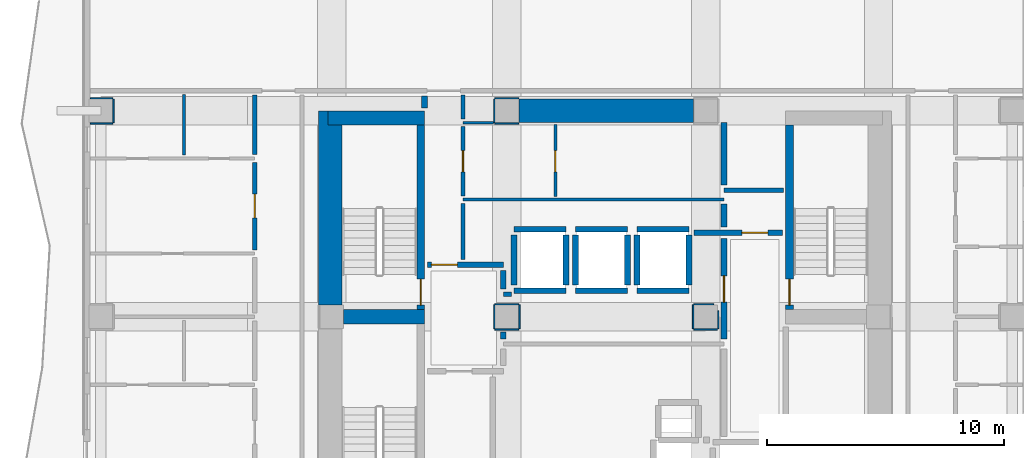
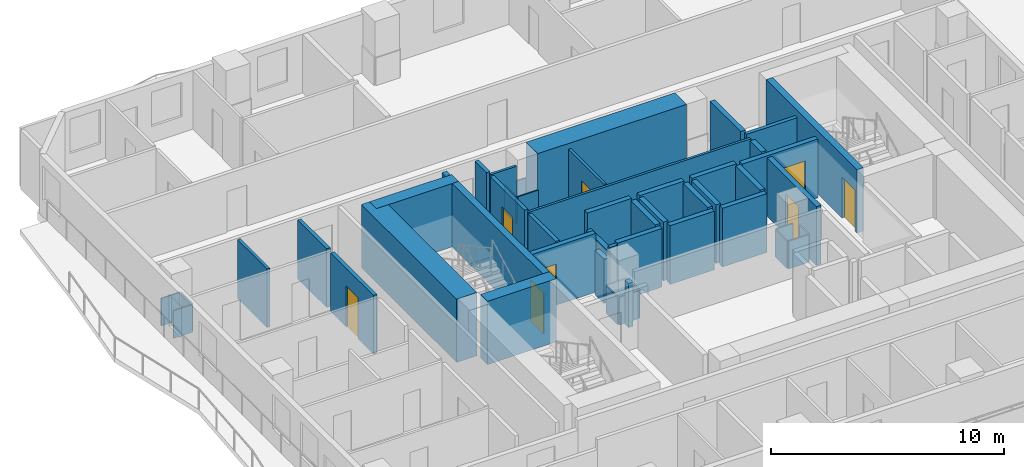
# One storey, part 4 of 11: 51 walls, 8 doors, 8 openings.
"""IFC4 building model written with IfcOpenShell, lengths in metres."""

from ifc_helpers import new_model, si_unit, direction, frame, frame_2d, origin, place, context, subcontext, project, spatial, rectangle, extrude, material, layer, layer_set, type_object, element, fill, save


model = new_model("IFC4")

# Units and contexts
model_context = context("Model", 3, precision=1e-05, world=origin(), true_north=direction((0.0, 1.0)))
body_context = subcontext(model_context, "Body", "Model", "MODEL_VIEW")
ifc_project = project(units=[si_unit("LENGTHUNIT", "METRE"), si_unit("AREAUNIT", "SQUARE_METRE"), si_unit("VOLUMEUNIT", "CUBIC_METRE"), si_unit("PLANEANGLEUNIT", "RADIAN"), si_unit("MASSUNIT", "GRAM", prefix="KILO")], contexts=[model_context])

# Site, building, storey
site_placement = place(None, origin())
site = spatial("IfcSite", under=ifc_project, at=site_placement, CompositionType="ELEMENT")
building_placement = place(site_placement, origin())
building = spatial("IfcBuilding", under=site, at=building_placement, Name="Solanera Arch Residences", CompositionType="ELEMENT")
storey_placement = place(building_placement, frame((0.0, 0.0, 165.840087890625)))
storey = spatial("IfcBuildingStorey", under=building, at=storey_placement, Name="L48", CompositionType="ELEMENT", Elevation=165.840087890625)

# Walls
ifc_material_1 = material(Name="Fire-Rated Gypsum Stud Partition", Category="gypsum")
ifc_layer_1 = layer(ifc_material_1, 0.06005859375)
ifc_layer_set_1 = layer_set([ifc_layer_1], Name="Fire-Rated Gypsum Stud Partition")
wall_type_1 = type_object("IfcWallType", Name="Column Acoustic Furring Wall 60", PredefinedType="PARTITIONING", material=ifc_layer_set_1)
for number, where, z_axis, x_axis, name in (
    (1, (20.300048828125, 38.867919921875, 0.0), (0.0, 0.0, 1.0), (1.0, 0.0, 0.0), "L48 Column Furring 3S"),
    (2, (20.300048828125, 39.931884765625, 0.0), (0.0, 0.0, 1.0), (1.0, 0.0, 0.0), "L48 Column Furring 3N"),
    (3, (20.26806640625, 38.89990234375, 0.0), (0.0, 0.0, 1.0), (0.0, 1.0, 0.0), "L48 Column Furring 3W"),
    (4, (20.300048828125, 30.16796875, 0.0), (0.0, 0.0, 1.0), (1.0, 0.0, 0.0), "L48 Column Furring 7S"),
    (5, (20.300048828125, 31.23193359375, 0.0), (0.0, 0.0, 1.0), (1.0, 0.0, 0.0), "L48 Column Furring 7N"),
    (6, (20.26806640625, 30.199951171875, 0.0), (0.0, 0.0, 1.0), (0.0, 1.0, 0.0), "L48 Column Furring 7W"),
    (7, (21.33203125, 30.199951171875, 0.0), (0.0, 0.0, 1.0), (0.0, 1.0, 0.0), "L48 Column Furring 7E"),
    (8, (28.699951171875, 30.16796875, 0.0), (0.0, 0.0, 1.0), (1.0, 0.0, 0.0), "L48 Column Furring 8S"),
):
    element("IfcWall", number, at=place(storey_placement, frame(where, z_axis=z_axis, x_axis=x_axis)), inside=storey, type_object=wall_type_1, Name=name, PredefinedType="PARTITIONING", context=body_context, shape_type="SweptSolid", body=[
        extrude(rectangle(XDim=1.0, YDim=0.06005859375, at=frame_2d((0.5, 0.0))), origin(), (0.0, 0.0, 1.0), 1.449951171875),
    ])
wall_1_placement = place(storey_placement, frame((28.699951171875, 31.23193359375, 0.0), z_axis=(0.0, 0.0, 1.0), x_axis=(1.0, 0.0, 0.0)))
element("IfcWall", 9, at=wall_1_placement, inside=storey, type_object=wall_type_1, Name="L48 Column Furring 8N", PredefinedType="PARTITIONING", context=body_context, shape_type="SweptSolid", body=[
    extrude(rectangle(XDim=0.8349609375, YDim=0.06005859375, at=frame_2d((0.41748046875, 0.0))), origin(), (0.0, 0.0, 1.0), 1.449951171875),
])
wall_2_placement = place(storey_placement, frame((28.66796875, 30.199951171875, 0.0), z_axis=(0.0, 0.0, 1.0), x_axis=(0.0, 1.0, 0.0)))
element("IfcWall", 10, at=wall_2_placement, inside=storey, type_object=wall_type_1, Name="L48 Column Furring 8W", PredefinedType="PARTITIONING", context=body_context, shape_type="SweptSolid", body=[
    extrude(rectangle(XDim=1.0, YDim=0.06005859375, at=frame_2d((0.5, 0.0))), origin(), (0.0, 0.0, 1.0), 1.449951171875),
])
wall_3_placement = place(storey_placement, frame((29.73193359375, 30.199951171875, 0.0), z_axis=(0.0, 0.0, 1.0), x_axis=(0.0, 1.0, 0.0)))
element("IfcWall", 11, at=wall_3_placement, inside=storey, type_object=wall_type_1, Name="L48 Column Furring 8E", PredefinedType="PARTITIONING", context=body_context, shape_type="SweptSolid", body=[
    extrude(rectangle(XDim=0.7470703125, YDim=0.06005859375, at=frame_2d((0.37353515625, 0.0))), origin(), (0.0, 0.0, 1.0), 1.449951171875),
])
for number, where, z_axis, x_axis, name in (
    (12, (3.2099609375, 38.867919921875, 0.0), (0.0, 0.0, 1.0), (1.0, 0.0, 0.0), "L48 Column Furring 21S"),
    (13, (3.2099609375, 39.931884765625, 0.0), (0.0, 0.0, 1.0), (1.0, 0.0, 0.0), "L48 Column Furring 21N"),
):
    element("IfcWall", number, at=place(storey_placement, frame(where, z_axis=z_axis, x_axis=x_axis)), inside=storey, type_object=wall_type_1, Name=name, PredefinedType="PARTITIONING", context=body_context, shape_type="SweptSolid", body=[
        extrude(rectangle(XDim=0.93994140625, YDim=0.06005859375, at=frame_2d((0.469970703125, 0.0))), origin(), (0.0, 0.0, 1.0), 1.449951171875),
    ])
wall_4_placement = place(storey_placement, frame((4.181884765625, 38.89990234375, 0.0), z_axis=(0.0, 0.0, 1.0), x_axis=(0.0, 1.0, 0.0)))
element("IfcWall", 14, at=wall_4_placement, inside=storey, type_object=wall_type_1, Name="L48 Column Furring 21E", PredefinedType="PARTITIONING", context=body_context, shape_type="SweptSolid", body=[
    extrude(rectangle(XDim=1.0, YDim=0.06005859375, at=frame_2d((0.5, 0.0))), origin(), (0.0, 0.0, 1.0), 1.449951171875),
])
ifc_material_2 = material(Name="Concrete C55/67 (f'c = 60 MPa)", Category="concrete")
ifc_layer_2 = layer(ifc_material_2, 1.0)
ifc_layer_set_2 = layer_set([ifc_layer_2], Name="Concrete C55/67 (f'c = 60 MPa)")
wall_type_2 = type_object("IfcWallType", Name="Core Shear Wall CW-1000", PredefinedType="SHEAR", material=ifc_layer_set_2)
wall_5_placement = place(storey_placement, frame((13.340087890625, 31.205078125, 0.0), z_axis=(0.0, 0.0, 1.0), x_axis=(0.0, 1.0, 0.0)))
element("IfcWall", 15, at=wall_5_placement, inside=storey, type_object=wall_type_2, Name="L48 West Core North Shear Wall", PredefinedType="SHEAR", context=body_context, shape_type="SweptSolid", body=[
    extrude(rectangle(XDim=8.19482421875, YDim=1.0, at=frame_2d((4.097412109375, 0.0))), origin(), (0.0, 0.0, 1.0), 3.31982421875),
])
wall_6_placement = place(storey_placement, frame((21.304931640625, 39.39990234375, 0.0), z_axis=(0.0, 0.0, 1.0), x_axis=(1.0, 0.0, 0.0)))
element("IfcWall", 16, at=wall_6_placement, inside=storey, type_object=wall_type_2, Name="L48 Central North Core Shear Wall", PredefinedType="SHEAR", context=body_context, shape_type="SweptSolid", body=[
    extrude(rectangle(XDim=7.39013671875, YDim=1.0, at=frame_2d((3.695068359375, 0.0))), origin(), (0.0, 0.0, 1.0), 3.31982421875),
])

# Wall, opening, door
ifc_material_3 = material(Name="Concrete C40/50 (f'c = 45 MPa)", Category="concrete")
ifc_layer_3 = layer(ifc_material_3, 0.320068359375)
ifc_layer_set_3 = layer_set([ifc_layer_3], Name="Concrete C40/50 (f'c = 45 MPa)")
wall_type_3 = type_object("IfcWallType", Name="Core Shear Wall CW-320", PredefinedType="SHEAR", material=ifc_layer_set_3)
wall_7_placement = place(storey_placement, frame((17.159912109375, 31.0, 0.0), z_axis=(0.0, 0.0, 1.0), x_axis=(0.0, 1.0, 0.0)))
wall_7 = element("IfcWall", 17, at=wall_7_placement, inside=storey, type_object=wall_type_3, Name="L48 Stair ST-T1 East Shear Wall", PredefinedType="SHEAR", context=body_context, shape_type="SweptSolid", body=[
    extrude(rectangle(XDim=7.800048828125, YDim=0.320068359375, at=frame_2d((3.89990234375, 0.0))), origin(), (0.0, 0.0, 1.0), 3.31982421875),
])
opening_1_placement = place(wall_7_placement, frame((0.18994140625, 0.0, 0.0)))
opening_1 = element("IfcOpeningElement", 18, at=opening_1_placement, cuts=wall_7, Name="Opening DF-01", PredefinedType="OPENING", context=body_context, shape_type="SweptSolid", body=[
    extrude(rectangle(XDim=1.10009765625, YDim=2.14990234375, at=frame_2d((0.550048828125, 1.074951171875))), frame((0.0, 0.169921875, 0.0), z_axis=(0.0, -1.0, 0.0), x_axis=(1.0, 0.0, 0.0)), (0.0, 0.0, 1.0), 0.3401),
])
ifc_material_4 = material(Name="Fire-Rated Architectural Hardwood", Category="wood")
door_type_1 = type_object("IfcDoorType", Name="Stair Exit Fire Door DF-01", OperationType="NOTDEFINED", PredefinedType="DOOR", material=ifc_material_4)
door_1_placement = place(opening_1_placement, origin())
door_1 = element("IfcDoor", 19, at=door_1_placement, inside=storey, type_object=door_type_1, Name="DR-L48-STAIR-ST-T1", OperationType="SINGLE_SWING_RIGHT", OverallHeight=2.14990234375, OverallWidth=1.10009765625, PredefinedType="DOOR", context=body_context, shape_type="SweptSolid", body=[
    extrude(rectangle(XDim=1.10009765625, YDim=2.14990234375, at=frame_2d((0.550048828125, 1.074951171875))), frame((0.0, 0.02490234375, 0.0), z_axis=(0.0, -1.0, 0.0), x_axis=(1.0, 0.0, 0.0)), (0.0, 0.0, 1.0), 0.050048828125),
])
fill(opening_1, door_1)

wall_8_placement = place(storey_placement, frame((32.739990234375, 31.0, 0.0), z_axis=(0.0, 0.0, 1.0), x_axis=(0.0, 1.0, 0.0)))
wall_8 = element("IfcWall", 20, at=wall_8_placement, inside=storey, type_object=wall_type_3, Name="L48 Stair ST-T2 West Shear Wall", PredefinedType="SHEAR", context=body_context, shape_type="SweptSolid", body=[
    extrude(rectangle(XDim=7.800048828125, YDim=0.320068359375, at=frame_2d((3.89990234375, 0.0))), origin(), (0.0, 0.0, 1.0), 3.31982421875),
])
opening_2_placement = place(wall_8_placement, frame((0.18994140625, 0.0, 0.0)))
opening_2 = element("IfcOpeningElement", 21, at=opening_2_placement, cuts=wall_8, Name="Opening DF-01", PredefinedType="OPENING", context=body_context, shape_type="SweptSolid", body=[
    extrude(rectangle(XDim=1.10009765625, YDim=2.14990234375, at=frame_2d((0.550048828125, 1.074951171875))), frame((0.0, 0.169921875, 0.0), z_axis=(0.0, -1.0, 0.0), x_axis=(1.0, 0.0, 0.0)), (0.0, 0.0, 1.0), 0.3401),
])
door_2_placement = place(opening_2_placement, origin())
door_2 = element("IfcDoor", 22, at=door_2_placement, inside=storey, type_object=door_type_1, Name="DR-L48-STAIR-ST-T2", OperationType="SINGLE_SWING_LEFT", OverallHeight=2.14990234375, OverallWidth=1.10009765625, PredefinedType="DOOR", context=body_context, shape_type="SweptSolid", body=[
    extrude(rectangle(XDim=1.10009765625, YDim=2.14990234375, at=frame_2d((0.550048828125, 1.074951171875))), frame((0.0, 0.02490234375, 0.0), z_axis=(0.0, -1.0, 0.0), x_axis=(1.0, 0.0, 0.0)), (0.0, 0.0, 1.0), 0.050048828125),
])
fill(opening_2, door_2)

# Walls
ifc_material_5 = material(Name="Concrete C40/50 (f'c = 45 MPa)", Category="concrete")
ifc_layer_4 = layer(ifc_material_5, 0.60009765625)
ifc_layer_set_4 = layer_set([ifc_layer_4], Name="Concrete C40/50 (f'c = 45 MPa)")
wall_type_4 = type_object("IfcWallType", Name="Core Shear Wall CW-600", PredefinedType="SHEAR", material=ifc_layer_set_4)
wall_9_placement = place(storey_placement, frame((13.239990234375, 39.10009765625, 0.0), z_axis=(0.0, 0.0, 1.0), x_axis=(1.0, 0.0, 0.0)))
element("IfcWall", 23, at=wall_9_placement, inside=storey, type_object=wall_type_4, Name="L48 North-West Core Shear Wall", PredefinedType="SHEAR", context=body_context, shape_type="SweptSolid", body=[
    extrude(rectangle(XDim=4.080078125, YDim=0.60009765625, at=frame_2d((2.0400390625, 0.0))), origin(), (0.0, 0.0, 1.0), 3.31982421875),
])
wall_10_placement = place(storey_placement, frame((13.905029296875, 30.699951171875, 0.0), z_axis=(0.0, 0.0, 1.0), x_axis=(1.0, 0.0, 0.0)))
element("IfcWall", 24, at=wall_10_placement, inside=storey, type_object=wall_type_4, Name="L48 West Stair Divider Shear Wall", PredefinedType="SHEAR", context=body_context, shape_type="SweptSolid", body=[
    extrude(rectangle(XDim=3.4150390625, YDim=0.60009765625, at=frame_2d((1.70751953125, 0.0))), origin(), (0.0, 0.0, 1.0), 3.31982421875),
])
ifc_material_6 = material(Name="Autoclaved Aerated Concrete Blockwork", Category="masonry")
ifc_layer_5 = layer(ifc_material_6, 0.179931640625)
ifc_layer_set_5 = layer_set([ifc_layer_5], Name="Autoclaved Aerated Concrete Blockwork")
wall_type_5 = type_object("IfcWallType", Name="Corridor Fire Partition 180", PredefinedType="PARTITIONING", material=ifc_layer_set_5)
wall_11_placement = place(storey_placement, frame((20.64990234375, 31.64990234375, 0.0), z_axis=(0.0, 0.0, 1.0), x_axis=(1.0, 0.0, 0.0)))
element("IfcWall", 25, at=wall_11_placement, inside=storey, type_object=wall_type_5, Name="L48 Interior Partition H8", PredefinedType="PARTITIONING", context=body_context, shape_type="SweptSolid", body=[
    extrude(rectangle(XDim=0.357177734375, YDim=0.179931640625, at=frame_2d((0.1787109375, 0.0))), origin(), (0.0, 0.0, 1.0), 3.079833984375),
])
wall_12_placement = place(storey_placement, frame((29.97509765625, 36.050048828125, 0.0), z_axis=(0.0, 0.0, 1.0), x_axis=(1.0, 0.0, 0.0)))
element("IfcWall", 26, at=wall_12_placement, inside=storey, type_object=wall_type_5, Name="L48 Interior Partition H9", PredefinedType="PARTITIONING", context=body_context, shape_type="SweptSolid", body=[
    extrude(rectangle(XDim=2.5048828125, YDim=0.179931640625, at=frame_2d((1.25244140625, 0.0))), origin(), (0.0, 0.0, 1.0), 3.079833984375),
])

# Wall, opening, door
wall_13_placement = place(storey_placement, frame((10.14990234375, 33.531982421875, 0.0), z_axis=(0.0, 0.0, 1.0), x_axis=(0.0, 1.0, 0.0)))
wall_13 = element("IfcWall", 27, at=wall_13_placement, inside=storey, type_object=wall_type_5, Name="L48 Interior Partition V8 5", PredefinedType="PARTITIONING", context=body_context, shape_type="SweptSolid", body=[
    extrude(rectangle(XDim=3.68505859375, YDim=0.179931640625, at=frame_2d((1.842529296875, 0.0))), origin(), (0.0, 0.0, 1.0), 3.079833984375),
])
opening_3_placement = place(wall_13_placement, frame((1.347900390625, 0.0, 0.0)))
opening_3 = element("IfcOpeningElement", 28, at=opening_3_placement, cuts=wall_13, Name="Opening DI-01", PredefinedType="OPENING", context=body_context, shape_type="SweptSolid", body=[
    extrude(rectangle(XDim=1.0, YDim=2.14990234375, at=frame_2d((0.5, 1.074951171875))), frame((0.0, 0.10009765625, 0.0), z_axis=(0.0, -1.0, 0.0), x_axis=(1.0, 0.0, 0.0)), (0.0, 0.0, 1.0), 0.1999),
])
ifc_material_7 = material(Name="Fire-Rated Architectural Hardwood", Category="wood")
door_type_2 = type_object("IfcDoorType", Name="Unit Entrance Fire Door DI-01", OperationType="NOTDEFINED", PredefinedType="DOOR", material=ifc_material_7)
door_3_placement = place(opening_3_placement, origin())
door_3 = element("IfcDoor", 29, at=door_3_placement, inside=storey, type_object=door_type_2, Name="DR-L48-IN-038", OperationType="SINGLE_SWING_LEFT", OverallHeight=2.14990234375, OverallWidth=1.0, PredefinedType="DOOR", context=body_context, shape_type="SweptSolid", body=[
    extrude(rectangle(XDim=1.0, YDim=2.14990234375, at=frame_2d((0.5, 1.074951171875))), frame((0.0, 0.02490234375, 0.0), z_axis=(0.0, -1.0, 0.0), x_axis=(1.0, 0.0, 0.0)), (0.0, 0.0, 1.0), 0.050048828125),
])
fill(opening_3, door_3)

# Walls
wall_14_placement = place(storey_placement, frame((10.14990234375, 37.552978515625, 0.0), z_axis=(0.0, 0.0, 1.0), x_axis=(0.0, 1.0, 0.0)))
element("IfcWall", 30, at=wall_14_placement, inside=storey, type_object=wall_type_5, Name="L48 Interior Partition V8 6", PredefinedType="PARTITIONING", context=body_context, shape_type="SweptSolid", body=[
    extrude(rectangle(XDim=2.509033203125, YDim=0.179931640625, at=frame_2d((1.25439453125, 0.0))), origin(), (0.0, 0.0, 1.0), 3.079833984375),
])
wall_15_placement = place(storey_placement, frame((18.949951171875, 33.117919921875, 0.0), z_axis=(0.0, 0.0, 1.0), x_axis=(0.0, 1.0, 0.0)))
element("IfcWall", 31, at=wall_15_placement, inside=storey, type_object=wall_type_5, Name="L48 Interior Partition V11 1", PredefinedType="PARTITIONING", context=body_context, shape_type="SweptSolid", body=[
    extrude(rectangle(XDim=2.3740234375, YDim=0.179931640625, at=frame_2d((1.18701171875, 0.0))), origin(), (0.0, 0.0, 1.0), 3.079833984375),
])

# Wall, opening, door
wall_16_placement = place(storey_placement, frame((18.949951171875, 35.80810546875, 0.0), z_axis=(0.0, 0.0, 1.0), x_axis=(0.0, 1.0, 0.0)))
wall_16 = element("IfcWall", 32, at=wall_16_placement, inside=storey, type_object=wall_type_5, Name="L48 Interior Partition V11 2", PredefinedType="PARTITIONING", context=body_context, shape_type="SweptSolid", body=[
    extrude(rectangle(XDim=2.933837890625, YDim=0.179931640625, at=frame_2d((1.466796875, 0.0))), origin(), (0.0, 0.0, 1.0), 3.079833984375),
])
opening_4_placement = place(wall_16_placement, frame((1.01708984375, 0.0, 0.0)))
opening_4 = element("IfcOpeningElement", 33, at=opening_4_placement, cuts=wall_16, Name="Opening DI-02", PredefinedType="OPENING", context=body_context, shape_type="SweptSolid", body=[
    extrude(rectangle(XDim=0.89990234375, YDim=2.10009765625, at=frame_2d((0.449951171875, 1.050048828125))), frame((0.0, 0.10009765625, 0.0), z_axis=(0.0, -1.0, 0.0), x_axis=(1.0, 0.0, 0.0)), (0.0, 0.0, 1.0), 0.1999),
])
ifc_material_8 = material(Name="Fire-Rated Architectural Hardwood", Category="wood")
door_type_3 = type_object("IfcDoorType", Name="Suite Room Swing Door DI-02", OperationType="NOTDEFINED", PredefinedType="DOOR", material=ifc_material_8)
door_4_placement = place(opening_4_placement, origin())
door_4 = element("IfcDoor", 34, at=door_4_placement, inside=storey, type_object=door_type_3, Name="DR-L48-IN-014", OperationType="SINGLE_SWING_LEFT", OverallHeight=2.10009765625, OverallWidth=0.89990234375, PredefinedType="DOOR", context=body_context, shape_type="SweptSolid", body=[
    extrude(rectangle(XDim=0.89990234375, YDim=2.10009765625, at=frame_2d((0.449951171875, 1.050048828125))), frame((0.0, 0.02490234375, 0.0), z_axis=(0.0, -1.0, 0.0), x_axis=(1.0, 0.0, 0.0)), (0.0, 0.0, 1.0), 0.050048828125),
])
fill(opening_4, door_4)

# Walls
wall_17_placement = place(storey_placement, frame((18.949951171875, 39.05810546875, 0.0), z_axis=(0.0, 0.0, 1.0), x_axis=(0.0, 1.0, 0.0)))
element("IfcWall", 35, at=wall_17_placement, inside=storey, type_object=wall_type_5, Name="L48 Interior Partition V11 3", PredefinedType="PARTITIONING", context=body_context, shape_type="SweptSolid", body=[
    extrude(rectangle(XDim=1.00390625, YDim=0.179931640625, at=frame_2d((0.501953125, 0.0))), origin(), (0.0, 0.0, 1.0), 3.079833984375),
])
ifc_material_9 = material(Name="Autoclaved Aerated Concrete Blockwork", Category="masonry")
ifc_layer_6 = layer(ifc_material_9, 0.239990234375)
ifc_layer_set_6 = layer_set([ifc_layer_6], Name="Autoclaved Aerated Concrete Blockwork")
wall_type_6 = type_object("IfcWallType", Name="Shaft Wall Fire-Rated 240", PredefinedType="PARTITIONING", material=ifc_layer_set_6)
for number, where, z_axis, x_axis, name in (
    (36, (21.10009765625, 31.800048828125, 0.0), (0.0, 0.0, 1.0), (1.0, 0.0, 0.0), "L48 Lift PL-M1 Hoistway Wall S"),
    (37, (21.10009765625, 34.39990234375, 0.0), (0.0, 0.0, 1.0), (1.0, 0.0, 0.0), "L48 Lift PL-M1 Hoistway Wall N"),
):
    element("IfcWall", number, at=place(storey_placement, frame(where, z_axis=z_axis, x_axis=x_axis)), inside=storey, type_object=wall_type_6, Name=name, PredefinedType="PARTITIONING", context=body_context, shape_type="SweptSolid", body=[
        extrude(rectangle(XDim=2.199951171875, YDim=0.239990234375, at=frame_2d((1.10009765625, 0.0))), origin(), (0.0, 0.0, 1.0), 3.079833984375),
    ])
wall_18_placement = place(storey_placement, frame((21.10009765625, 32.048095703125, 0.0), z_axis=(0.0, 0.0, 1.0), x_axis=(0.0, 1.0, 0.0)))
element("IfcWall", 38, at=wall_18_placement, inside=storey, type_object=wall_type_6, Name="L48 Lift PL-M1 Hoistway Wall W", PredefinedType="PARTITIONING", context=body_context, shape_type="SweptSolid", body=[
    extrude(rectangle(XDim=2.10400390625, YDim=0.239990234375, at=frame_2d((1.052001953125, 0.0))), origin(), (0.0, 0.0, 1.0), 2.31494140625),
])
wall_19_placement = place(storey_placement, frame((23.300048828125, 32.048095703125, 0.0), z_axis=(0.0, 0.0, 1.0), x_axis=(0.0, 1.0, 0.0)))
element("IfcWall", 39, at=wall_19_placement, inside=storey, type_object=wall_type_6, Name="L48 Lift PL-M1 Hoistway Wall E", PredefinedType="PARTITIONING", context=body_context, shape_type="SweptSolid", body=[
    extrude(rectangle(XDim=2.10400390625, YDim=0.239990234375, at=frame_2d((1.052001953125, 0.0))), origin(), (0.0, 0.0, 1.0), 3.079833984375),
])
for number, where, z_axis, x_axis, name in (
    (40, (23.699951171875, 31.800048828125, 0.0), (0.0, 0.0, 1.0), (1.0, 0.0, 0.0), "L48 Lift PL-M2 Hoistway Wall S"),
    (41, (23.699951171875, 34.39990234375, 0.0), (0.0, 0.0, 1.0), (1.0, 0.0, 0.0), "L48 Lift PL-M2 Hoistway Wall N"),
):
    element("IfcWall", number, at=place(storey_placement, frame(where, z_axis=z_axis, x_axis=x_axis)), inside=storey, type_object=wall_type_6, Name=name, PredefinedType="PARTITIONING", context=body_context, shape_type="SweptSolid", body=[
        extrude(rectangle(XDim=2.199951171875, YDim=0.239990234375, at=frame_2d((1.10009765625, 0.0))), origin(), (0.0, 0.0, 1.0), 3.079833984375),
    ])
for number, where, z_axis, x_axis, name in (
    (42, (23.699951171875, 32.048095703125, 0.0), (0.0, 0.0, 1.0), (0.0, 1.0, 0.0), "L48 Lift PL-M2 Hoistway Wall W"),
    (43, (25.89990234375, 32.048095703125, 0.0), (0.0, 0.0, 1.0), (0.0, 1.0, 0.0), "L48 Lift PL-M2 Hoistway Wall E"),
):
    element("IfcWall", number, at=place(storey_placement, frame(where, z_axis=z_axis, x_axis=x_axis)), inside=storey, type_object=wall_type_6, Name=name, PredefinedType="PARTITIONING", context=body_context, shape_type="SweptSolid", body=[
        extrude(rectangle(XDim=2.10400390625, YDim=0.239990234375, at=frame_2d((1.052001953125, 0.0))), origin(), (0.0, 0.0, 1.0), 3.079833984375),
    ])
for number, where, z_axis, x_axis, name in (
    (44, (26.300048828125, 31.800048828125, 0.0), (0.0, 0.0, 1.0), (1.0, 0.0, 0.0), "L48 Lift PL-M3 Hoistway Wall S"),
    (45, (26.300048828125, 34.39990234375, 0.0), (0.0, 0.0, 1.0), (1.0, 0.0, 0.0), "L48 Lift PL-M3 Hoistway Wall N"),
):
    element("IfcWall", number, at=place(storey_placement, frame(where, z_axis=z_axis, x_axis=x_axis)), inside=storey, type_object=wall_type_6, Name=name, PredefinedType="PARTITIONING", context=body_context, shape_type="SweptSolid", body=[
        extrude(rectangle(XDim=2.199951171875, YDim=0.239990234375, at=frame_2d((1.10009765625, 0.0))), origin(), (0.0, 0.0, 1.0), 3.079833984375),
    ])
for number, where, z_axis, x_axis, name in (
    (46, (26.300048828125, 32.048095703125, 0.0), (0.0, 0.0, 1.0), (0.0, 1.0, 0.0), "L48 Lift PL-M3 Hoistway Wall W"),
    (47, (28.5, 32.048095703125, 0.0), (0.0, 0.0, 1.0), (0.0, 1.0, 0.0), "L48 Lift PL-M3 Hoistway Wall E"),
):
    element("IfcWall", number, at=place(storey_placement, frame(where, z_axis=z_axis, x_axis=x_axis)), inside=storey, type_object=wall_type_6, Name=name, PredefinedType="PARTITIONING", context=body_context, shape_type="SweptSolid", body=[
        extrude(rectangle(XDim=2.10400390625, YDim=0.239990234375, at=frame_2d((1.052001953125, 0.0))), origin(), (0.0, 0.0, 1.0), 3.079833984375),
    ])

# Wall, opening, door
wall_20_placement = place(storey_placement, frame((17.449951171875, 32.89990234375, 0.0), z_axis=(0.0, 0.0, 1.0), x_axis=(1.0, 0.0, 0.0)))
wall_20 = element("IfcWall", 48, at=wall_20_placement, inside=storey, type_object=wall_type_6, Name="L48 Interior Partition H4", PredefinedType="PARTITIONING", context=body_context, shape_type="SweptSolid", body=[
    extrude(rectangle(XDim=3.199951171875, YDim=0.239990234375, at=frame_2d((1.60009765625, 0.0))), origin(), (0.0, 0.0, 1.0), 3.079833984375),
])
opening_5_placement = place(wall_20_placement, frame((0.158935546875, 0.0, 0.0)))
opening_5 = element("IfcOpeningElement", 49, at=opening_5_placement, cuts=wall_20, Name="Opening DF-02", PredefinedType="OPENING", context=body_context, shape_type="SweptSolid", body=[
    extrude(rectangle(XDim=1.10009765625, YDim=2.14990234375, at=frame_2d((0.550048828125, 1.074951171875))), frame((0.0, 0.1298828125, 0.0), z_axis=(0.0, -1.0, 0.0), x_axis=(1.0, 0.0, 0.0)), (0.0, 0.0, 1.0), 0.26),
])
ifc_material_10 = material(Name="Fire-Rated Architectural Hardwood", Category="wood")
door_type_4 = type_object("IfcDoorType", Name="Firefighting Lobby Fire Door DF-02", OperationType="NOTDEFINED", PredefinedType="DOOR", material=ifc_material_10)
door_5_placement = place(opening_5_placement, origin())
door_5 = element("IfcDoor", 50, at=door_5_placement, inside=storey, type_object=door_type_4, Name="DR-L48-IN-005", OperationType="SINGLE_SWING_RIGHT", OverallHeight=2.14990234375, OverallWidth=1.10009765625, PredefinedType="DOOR", context=body_context, shape_type="SweptSolid", body=[
    extrude(rectangle(XDim=1.10009765625, YDim=2.14990234375, at=frame_2d((0.550048828125, 1.074951171875))), frame((0.0, 0.02490234375, 0.0), z_axis=(0.0, -1.0, 0.0), x_axis=(1.0, 0.0, 0.0)), (0.0, 0.0, 1.0), 0.050048828125),
])
fill(opening_5, door_5)

wall_21_placement = place(storey_placement, frame((28.701904296875, 34.25, 0.0), z_axis=(0.0, 0.0, 1.0), x_axis=(1.0, 0.0, 0.0)))
wall_21 = element("IfcWall", 51, at=wall_21_placement, inside=storey, type_object=wall_type_6, Name="L48 Interior Partition H5", PredefinedType="PARTITIONING", context=body_context, shape_type="SweptSolid", body=[
    extrude(rectangle(XDim=3.748046875, YDim=0.239990234375, at=frame_2d((1.8740234375, 0.0))), origin(), (0.0, 0.0, 1.0), 3.079833984375),
])
opening_6_placement = place(wall_21_placement, frame((2.02490234375, 0.0, 0.0)))
opening_6 = element("IfcOpeningElement", 52, at=opening_6_placement, cuts=wall_21, Name="Opening DF-02", PredefinedType="OPENING", context=body_context, shape_type="SweptSolid", body=[
    extrude(rectangle(XDim=1.10009765625, YDim=2.14990234375, at=frame_2d((0.550048828125, 1.074951171875))), frame((0.0, 0.1298828125, 0.0), z_axis=(0.0, -1.0, 0.0), x_axis=(1.0, 0.0, 0.0)), (0.0, 0.0, 1.0), 0.26),
])
door_6_placement = place(opening_6_placement, origin())
door_6 = element("IfcDoor", 53, at=door_6_placement, inside=storey, type_object=door_type_4, Name="DR-L48-IN-007", OperationType="SINGLE_SWING_RIGHT", OverallHeight=2.14990234375, OverallWidth=1.10009765625, PredefinedType="DOOR", context=body_context, shape_type="SweptSolid", body=[
    extrude(rectangle(XDim=1.10009765625, YDim=2.14990234375, at=frame_2d((0.550048828125, 1.074951171875))), frame((0.0, 0.02490234375, 0.0), z_axis=(0.0, -1.0, 0.0), x_axis=(1.0, 0.0, 0.0)), (0.0, 0.0, 1.0), 0.050048828125),
])
fill(opening_6, door_6)

# Walls
wall_22_placement = place(storey_placement, frame((17.320068359375, 39.530029296875, 0.0), z_axis=(0.0, 0.0, 1.0), x_axis=(0.0, 1.0, 0.0)))
element("IfcWall", 54, at=wall_22_placement, inside=storey, type_object=wall_type_6, Name="L48 Interior Partition V1", PredefinedType="PARTITIONING", context=body_context, shape_type="SweptSolid", body=[
    extrude(rectangle(XDim=0.501953125, YDim=0.239990234375, at=frame_2d((0.2509765625, 0.0))), origin(), (0.0, 0.0, 1.0), 3.079833984375),
])
wall_23_placement = place(storey_placement, frame((20.64990234375, 29.76806640625, 0.0), z_axis=(0.0, 0.0, 1.0), x_axis=(0.0, 1.0, 0.0)))
element("IfcWall", 55, at=wall_23_placement, inside=storey, type_object=wall_type_6, Name="L48 Interior Partition V4 2", PredefinedType="PARTITIONING", context=body_context, shape_type="SweptSolid", body=[
    extrude(rectangle(XDim=0.300048828125, YDim=0.239990234375, at=frame_2d((0.14990234375, 0.0))), origin(), (0.0, 0.0, 1.0), 2.31494140625),
])
wall_24_placement = place(storey_placement, frame((20.64990234375, 31.867919921875, 0.0), z_axis=(0.0, 0.0, 1.0), x_axis=(0.0, 1.0, 0.0)))
element("IfcWall", 56, at=wall_24_placement, inside=storey, type_object=wall_type_6, Name="L48 Interior Partition V4 3", PredefinedType="PARTITIONING", context=body_context, shape_type="SweptSolid", body=[
    extrude(rectangle(XDim=0.7841796875, YDim=0.239990234375, at=frame_2d((0.39208984375, 0.0))), origin(), (0.0, 0.0, 1.0), 2.31494140625),
])

# Wall, opening, door
wall_25_placement = place(storey_placement, frame((29.97509765625, 29.76806640625, 0.0), z_axis=(0.0, 0.0, 1.0), x_axis=(0.0, 1.0, 0.0)))
wall_25 = element("IfcWall", 57, at=wall_25_placement, inside=storey, type_object=wall_type_6, Name="L48 Interior Partition V5 2", PredefinedType="PARTITIONING", context=body_context, shape_type="SweptSolid", body=[
    extrude(rectangle(XDim=4.23388671875, YDim=0.239990234375, at=frame_2d((2.116943359375, 0.0))), origin(), (0.0, 0.0, 1.0), 3.079833984375),
])
opening_7_placement = place(wall_25_placement, frame((1.556884765625, 0.0, 0.0)))
opening_7 = element("IfcOpeningElement", 58, at=opening_7_placement, cuts=wall_25, Name="Opening DF-02", PredefinedType="OPENING", context=body_context, shape_type="SweptSolid", body=[
    extrude(rectangle(XDim=1.10009765625, YDim=2.14990234375, at=frame_2d((0.550048828125, 1.074951171875))), frame((0.0, 0.1298828125, 0.0), z_axis=(0.0, -1.0, 0.0), x_axis=(1.0, 0.0, 0.0)), (0.0, 0.0, 1.0), 0.26),
])
door_7_placement = place(opening_7_placement, origin())
door_7 = element("IfcDoor", 59, at=door_7_placement, inside=storey, type_object=door_type_4, Name="DR-L48-IN-006", OperationType="SINGLE_SWING_LEFT", OverallHeight=2.14990234375, OverallWidth=1.10009765625, PredefinedType="DOOR", context=body_context, shape_type="SweptSolid", body=[
    extrude(rectangle(XDim=1.10009765625, YDim=2.14990234375, at=frame_2d((0.550048828125, 1.074951171875))), frame((0.0, 0.02490234375, 0.0), z_axis=(0.0, -1.0, 0.0), x_axis=(1.0, 0.0, 0.0)), (0.0, 0.0, 1.0), 0.050048828125),
])
fill(opening_7, door_7)

# Walls
wall_26_placement = place(storey_placement, frame((29.97509765625, 34.498046875, 0.0), z_axis=(0.0, 0.0, 1.0), x_axis=(0.0, 1.0, 0.0)))
element("IfcWall", 60, at=wall_26_placement, inside=storey, type_object=wall_type_6, Name="L48 Interior Partition V5 3", PredefinedType="PARTITIONING", context=body_context, shape_type="SweptSolid", body=[
    extrude(rectangle(XDim=0.9638671875, YDim=0.239990234375, at=frame_2d((0.48193359375, 0.0))), origin(), (0.0, 0.0, 1.0), 3.079833984375),
])
wall_27_placement = place(storey_placement, frame((29.97509765625, 36.26806640625, 0.0), z_axis=(0.0, 0.0, 1.0), x_axis=(0.0, 1.0, 0.0)))
element("IfcWall", 61, at=wall_27_placement, inside=storey, type_object=wall_type_6, Name="L48 Interior Partition V5 4", PredefinedType="PARTITIONING", context=body_context, shape_type="SweptSolid", body=[
    extrude(rectangle(XDim=2.6318359375, YDim=0.239990234375, at=frame_2d((1.31591796875, 0.0))), origin(), (0.0, 0.0, 1.0), 3.079833984375),
])
ifc_material_11 = material(Name="Fire-Rated Gypsum Stud Partition", Category="gypsum")
ifc_layer_7 = layer(ifc_material_11, 0.1201171875)
ifc_layer_set_7 = layer_set([ifc_layer_7], Name="Fire-Rated Gypsum Stud Partition")
wall_type_7 = type_object("IfcWallType", Name="Unit Drywall Partition 120", PredefinedType="PARTITIONING", material=ifc_layer_set_7)
wall_28_placement = place(storey_placement, frame((18.949951171875, 35.64990234375, 0.0), z_axis=(0.0, 0.0, 1.0), x_axis=(1.0, 0.0, 0.0)))
element("IfcWall", 62, at=wall_28_placement, inside=storey, type_object=wall_type_7, Name="L48 Interior Partition H27", PredefinedType="PARTITIONING", context=body_context, shape_type="SweptSolid", body=[
    extrude(rectangle(XDim=11.025146484375, YDim=0.1201171875, at=frame_2d((5.5126953125, 0.0))), origin(), (0.0, 0.0, 1.0), 3.079833984375),
])
wall_29_placement = place(storey_placement, frame((18.949951171875, 38.89990234375, 0.0), z_axis=(0.0, 0.0, 1.0), x_axis=(1.0, 0.0, 0.0)))
element("IfcWall", 63, at=wall_29_placement, inside=storey, type_object=wall_type_7, Name="L48 Interior Partition H28", PredefinedType="PARTITIONING", context=body_context, shape_type="SweptSolid", body=[
    extrude(rectangle(XDim=1.278076171875, YDim=0.1201171875, at=frame_2d((0.63916015625, 0.0))), origin(), (0.0, 0.0, 1.0), 3.079833984375),
])

# Wall, opening, door
wall_30_placement = place(storey_placement, frame((22.85009765625, 35.778076171875, 0.0), z_axis=(0.0, 0.0, 1.0), x_axis=(0.0, 1.0, 0.0)))
wall_30 = element("IfcWall", 64, at=wall_30_placement, inside=storey, type_object=wall_type_7, Name="L48 Interior Partition V27", PredefinedType="PARTITIONING", context=body_context, shape_type="SweptSolid", body=[
    extrude(rectangle(XDim=3.052001953125, YDim=0.1201171875, at=frame_2d((1.52587890625, 0.0))), origin(), (0.0, 0.0, 1.0), 3.079833984375),
])
opening_8_placement = place(wall_30_placement, frame((1.047119140625, 0.0, 0.0)))
opening_8 = element("IfcOpeningElement", 65, at=opening_8_placement, cuts=wall_30, Name="Opening DI-02", PredefinedType="OPENING", context=body_context, shape_type="SweptSolid", body=[
    extrude(rectangle(XDim=0.89990234375, YDim=2.10009765625, at=frame_2d((0.449951171875, 1.050048828125))), frame((0.0, 0.070068359375, 0.0), z_axis=(0.0, -1.0, 0.0), x_axis=(1.0, 0.0, 0.0)), (0.0, 0.0, 1.0), 0.1401),
])
door_8_placement = place(opening_8_placement, origin())
door_8 = element("IfcDoor", 66, at=door_8_placement, inside=storey, type_object=door_type_3, Name="DR-L48-IN-015", OperationType="SINGLE_SWING_RIGHT", OverallHeight=2.10009765625, OverallWidth=0.89990234375, PredefinedType="DOOR", context=body_context, shape_type="SweptSolid", body=[
    extrude(rectangle(XDim=0.89990234375, YDim=2.10009765625, at=frame_2d((0.449951171875, 1.050048828125))), frame((0.0, 0.02490234375, 0.0), z_axis=(0.0, -1.0, 0.0), x_axis=(1.0, 0.0, 0.0)), (0.0, 0.0, 1.0), 0.050048828125),
])
fill(opening_8, door_8)

# Wall
ifc_material_12 = material(Name="Autoclaved Aerated Concrete Blockwork", Category="masonry")
ifc_layer_8 = layer(ifc_material_12, 0.139892578125)
ifc_layer_set_8 = layer_set([ifc_layer_8], Name="Autoclaved Aerated Concrete Blockwork")
wall_type_8 = type_object("IfcWallType", Name="Wet-Room Partition 140", PredefinedType="PARTITIONING", material=ifc_layer_set_8)
wall_31_placement = place(storey_placement, frame((7.162109375, 37.532958984375, 0.0), z_axis=(0.0, 0.0, 1.0), x_axis=(0.0, 1.0, 0.0)))
element("IfcWall", 67, at=wall_31_placement, inside=storey, type_object=wall_type_8, Name="L48 Interior Partition V18", PredefinedType="PARTITIONING", context=body_context, shape_type="SweptSolid", body=[
    extrude(rectangle(XDim=2.549072265625, YDim=0.139892578125, at=frame_2d((1.2744140625, 0.0))), origin(), (0.0, 0.0, 1.0), 3.079833984375),
])

save(model, "model.ifc")
